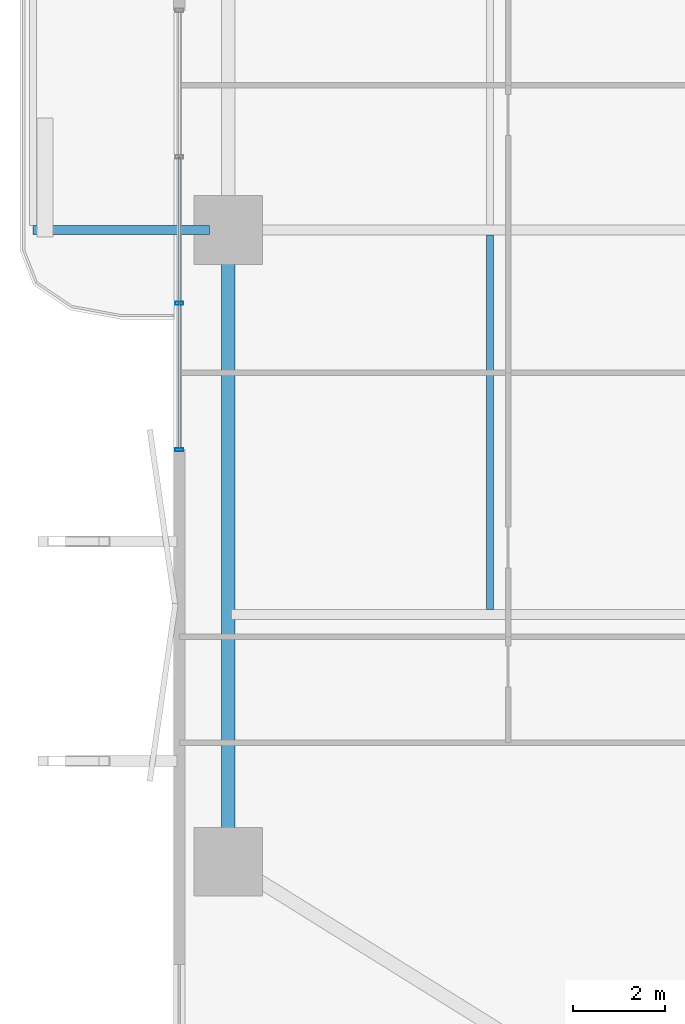
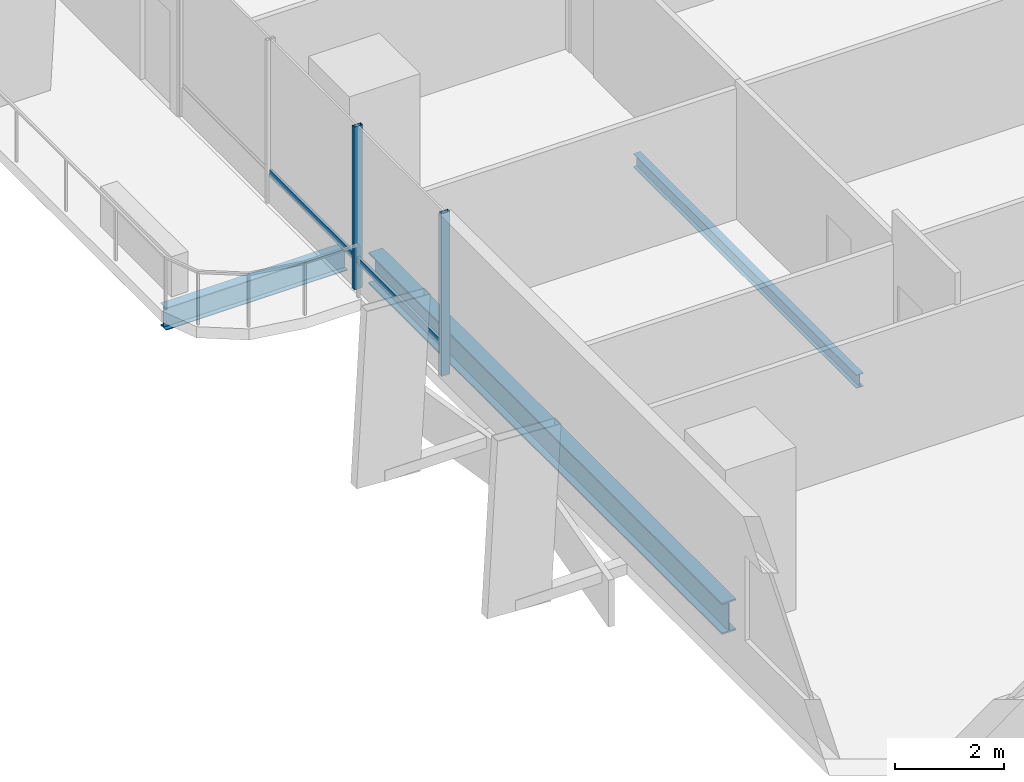
# One storey, part 4 of 23: 4 members, 3 beams, 1 element without a shape of its own.
"""IFC4 building model written with IfcOpenShell, lengths in metres."""

from ifc_helpers import new_model, si_unit, direction, frame, origin, origin_2d, place, context, subcontext, project, spatial, hollow_rectangle, i_section, extrude, material, layer, layer_set, material_profile, profile_set, type_object, element, aggregate, save


model = new_model("IFC4")

# Units and contexts
model_context = context("Model", 3, precision=1e-05, world=origin(), true_north=direction((0.0, 1.0)))
body_context = subcontext(model_context, "Body", "Model", "MODEL_VIEW")
ifc_project = project(units=[si_unit("LENGTHUNIT", "METRE"), si_unit("AREAUNIT", "SQUARE_METRE"), si_unit("VOLUMEUNIT", "CUBIC_METRE"), si_unit("PLANEANGLEUNIT", "RADIAN"), si_unit("MASSUNIT", "GRAM", prefix="KILO")], contexts=[model_context])

# Site, building, storey
site_placement = place(None, origin())
site = spatial("IfcSite", under=ifc_project, at=site_placement, CompositionType="ELEMENT")
building_placement = place(site_placement, origin())
building = spatial("IfcBuilding", under=site, at=building_placement, Name="Belovzor Exchange Tower", CompositionType="ELEMENT")
storey_placement = place(building_placement, frame((0.0, 0.0, 53.39990234375)))
storey = spatial("IfcBuildingStorey", under=building, at=storey_placement, Name="L12", CompositionType="ELEMENT", Elevation=53.39990234375)

# Beams
ifc_material_1 = material(Name="Steel S355", Category="steel")
ifc_material_profile_1 = material_profile(ifc_material_1, i_section(OverallWidth=0.199951171875, OverallDepth=0.5, WebThickness=0.01025390625, FlangeThickness=0.01611328125, at=origin_2d()))
ifc_profile_set_1 = profile_set([ifc_material_profile_1], Name="Steel S355")
beam_type_1 = type_object("IfcBeamType", Name="Planted Balcony Cantilever Beam IPE 500", PredefinedType="BEAM", material=ifc_profile_set_1)
beam_1_placement = place(storey_placement, frame((1.68798828125, 28.800048828125, -0.5), z_axis=(-1.0, 0.0, 0.0), x_axis=(0.0, -1.0, 0.0)))
element("IfcBeam", 1, at=beam_1_placement, inside=storey, type_object=beam_type_1, Name="BC-500 Planted Balcony Cantilever Beam IPE 500", PredefinedType="BEAM", context=body_context, shape_type="SweptSolid", body=[
    extrude(i_section(OverallWidth=0.199951171875, OverallDepth=0.5, WebThickness=0.01025390625, FlangeThickness=0.01611328125, at=origin_2d()), origin(), (0.0, 0.0, 1.0), 3.85009765625),
])
ifc_material_2 = material(Name="Steel S355", Category="steel")
ifc_material_profile_2 = material_profile(ifc_material_2, i_section(OverallWidth=0.14990234375, OverallDepth=0.300048828125, WebThickness=0.007080078125, FlangeThickness=0.0107421875, at=origin_2d()))
ifc_profile_set_2 = profile_set([ifc_material_profile_2], Name="Steel S355")
beam_type_2 = type_object("IfcBeamType", Name="Secondary Trim Floor Joist IPE 300", PredefinedType="BEAM", material=ifc_profile_set_2)
beam_2_placement = place(storey_placement, frame((7.81494140625, 20.5048828125, -0.39990234375), z_axis=(0.0, 1.0, 0.0), x_axis=(-1.0, 0.0, 0.0)))
element("IfcBeam", 2, at=beam_2_placement, inside=storey, type_object=beam_type_2, Name="FJ-300 Secondary Trim Floor Joist IPE 300", PredefinedType="BEAM", context=body_context, shape_type="SweptSolid", body=[
    extrude(i_section(OverallWidth=0.14990234375, OverallDepth=0.300048828125, WebThickness=0.007080078125, FlangeThickness=0.0107421875, at=origin_2d()), origin(), (0.0, 0.0, 1.0), 8.190185546875),
])

# Curtain wall, members
ifc_material_3 = material(Name="Anodised Aluminium Framing", Category="aluminium")
ifc_layer = layer(ifc_material_3, 0.179931640625)
ifc_layer_set = layer_set([ifc_layer], Name="Anodised Aluminium Framing")
curtain_wall_type = type_object("IfcCurtainWallType", Name="Recessed Loggia Low-Iron Triple-Glazed Curtain Wall", PredefinedType="NOTDEFINED", material=ifc_layer_set)
curtain_wall_placement = place(storey_placement, origin())
curtain_wall = element("IfcCurtainWall", 3, at=curtain_wall_placement, inside=storey, type_object=curtain_wall_type, Name="CW3 Recessed Loggia Low-Iron Triple-Glazed Curtain Wall L12", PredefinedType="NOTDEFINED")
ifc_material_4 = material(Name="Steel S355", Category="steel")
ifc_material_profile_3 = material_profile(ifc_material_4, hollow_rectangle(XDim=0.074951171875, YDim=0.179931640625, WallThickness=0.0048828125, at=origin_2d()))
ifc_profile_set_3 = profile_set([ifc_material_profile_3], Name="Steel S355")
member_type_1 = type_object("IfcMemberType", Name="Thermally Broken Curtain Wall Mullion 180x75", PredefinedType="MULLION", material=ifc_profile_set_3)
member_1_placement = place(storey_placement, frame((1.030029296875, 24.0, 0.0), z_axis=(0.0, 0.0, 1.0), x_axis=(0.0, 1.0, 0.0)))
member_1 = element("IfcMember", 4, at=member_1_placement, type_object=member_type_1, Name="CW-M180 Curtain Wall Mullion 1", PredefinedType="MULLION", context=body_context, shape_type="SweptSolid", body=[
    extrude(hollow_rectangle(XDim=0.074951171875, YDim=0.179931640625, WallThickness=0.0048828125, at=origin_2d()), origin(), (0.0, 0.0, 1.0), 3.650146484375),
])
member_2_placement = place(storey_placement, frame((1.030029296875, 27.199951171875, 0.0), z_axis=(0.0, 0.0, 1.0), x_axis=(0.0, 1.0, 0.0)))
member_2 = element("IfcMember", 5, at=member_2_placement, type_object=member_type_1, Name="CW-M180 Curtain Wall Mullion 2", PredefinedType="MULLION", context=body_context, shape_type="SweptSolid", body=[
    extrude(hollow_rectangle(XDim=0.074951171875, YDim=0.179931640625, WallThickness=0.0048828125, at=origin_2d()), origin(), (0.0, 0.0, 1.0), 3.650146484375),
])
ifc_material_5 = material(Name="Steel S355", Category="steel")
ifc_material_profile_4 = material_profile(ifc_material_5, hollow_rectangle(XDim=0.06005859375, YDim=0.14990234375, WallThickness=0.00390625, at=origin_2d()))
ifc_profile_set_4 = profile_set([ifc_material_profile_4], Name="Steel S355")
member_type_2 = type_object("IfcMemberType", Name="Thermally Broken Curtain Wall Transom 150x60", PredefinedType="USERDEFINED", material=ifc_profile_set_4)
member_3_placement = place(storey_placement, frame((1.030029296875, 24.008056640625, 0.650146484375), z_axis=(0.0, 1.0, 0.0), x_axis=(-1.0, 0.0, 0.0)))
member_3 = element("IfcMember", 6, at=member_3_placement, type_object=member_type_2, Name="CW-T150 Curtain Wall Transom 1", ObjectType="TRANSOM", PredefinedType="USERDEFINED", context=body_context, shape_type="SweptSolid", body=[
    extrude(hollow_rectangle(XDim=0.06005859375, YDim=0.14990234375, WallThickness=0.00390625, at=origin_2d()), origin(), (0.0, 0.0, 1.0), 3.183837890625),
])
member_4_placement = place(storey_placement, frame((1.030029296875, 27.2080078125, 0.650146484375), z_axis=(0.0, 1.0, 0.0), x_axis=(-1.0, 0.0, 0.0)))
member_4 = element("IfcMember", 7, at=member_4_placement, type_object=member_type_2, Name="CW-T150 Curtain Wall Transom 2", ObjectType="TRANSOM", PredefinedType="USERDEFINED", context=body_context, shape_type="SweptSolid", body=[
    extrude(hollow_rectangle(XDim=0.06005859375, YDim=0.14990234375, WallThickness=0.00390625, at=origin_2d()), origin(), (0.0, 0.0, 1.0), 3.18408203125),
])
aggregate(curtain_wall, [member_1, member_2, member_3, member_4])

# Beam
ifc_material_6 = material(Name="Steel S355", Category="steel")
ifc_material_profile_5 = material_profile(ifc_material_6, i_section(OverallWidth=0.300048828125, OverallDepth=0.699951171875, WebThickness=0.01708984375, FlangeThickness=0.031982421875, at=origin_2d()))
ifc_profile_set_5 = profile_set([ifc_material_profile_5], Name="Steel S355")
beam_type_3 = type_object("IfcBeamType", Name="Zone 1 Primary Perimeter Girder HEB 700", PredefinedType="BEAM", material=ifc_profile_set_5)
beam_3_placement = place(storey_placement, frame((2.10009765625, 28.386962890625, -0.599853515625), z_axis=(0.0, -1.0, 0.0), x_axis=(1.0, 0.0, 0.0)))
element("IfcBeam", 8, at=beam_3_placement, inside=storey, type_object=beam_type_3, Name="FG-Z1 Zone 1 Primary Perimeter Girder HEB 700", PredefinedType="BEAM", context=body_context, shape_type="SweptSolid", body=[
    extrude(i_section(OverallWidth=0.300048828125, OverallDepth=0.699951171875, WebThickness=0.01708984375, FlangeThickness=0.031982421875, at=origin_2d()), origin(), (0.0, 0.0, 1.0), 12.974853515625),
])

save(model, "model.ifc")
